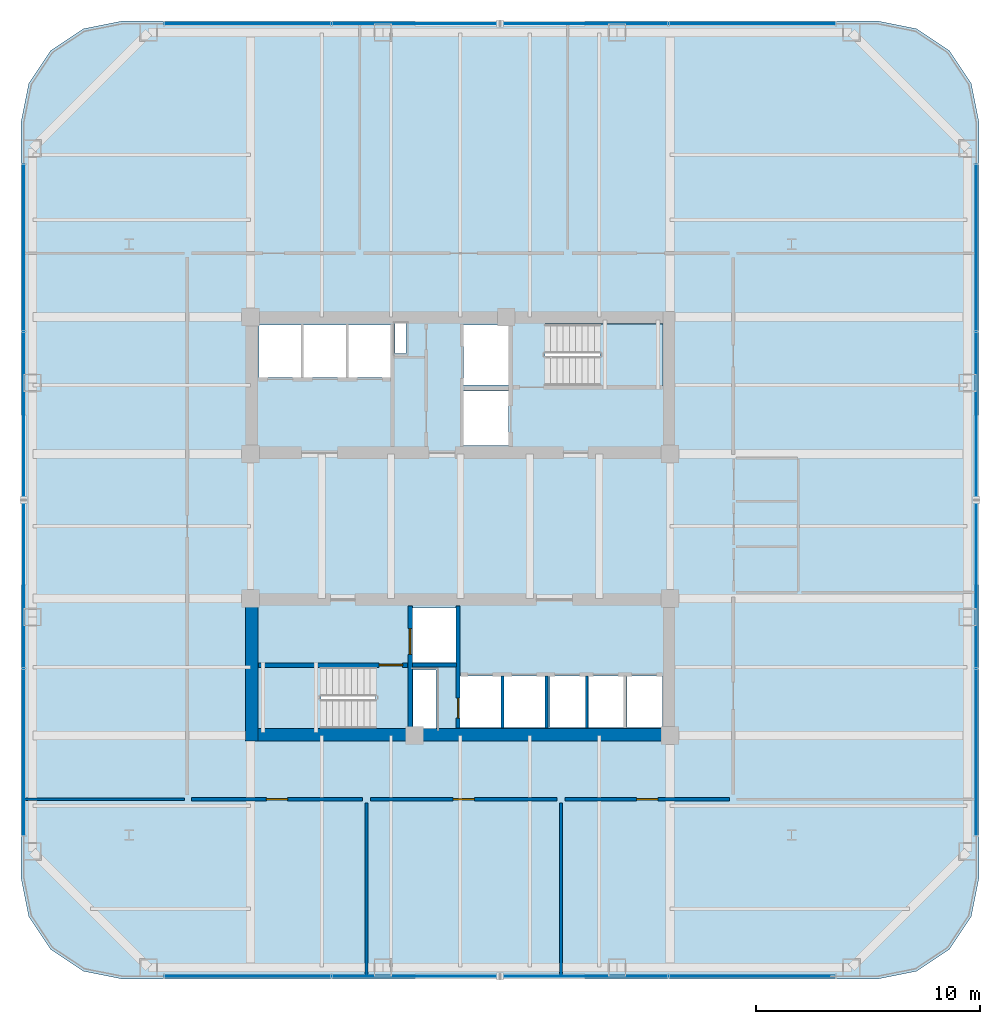
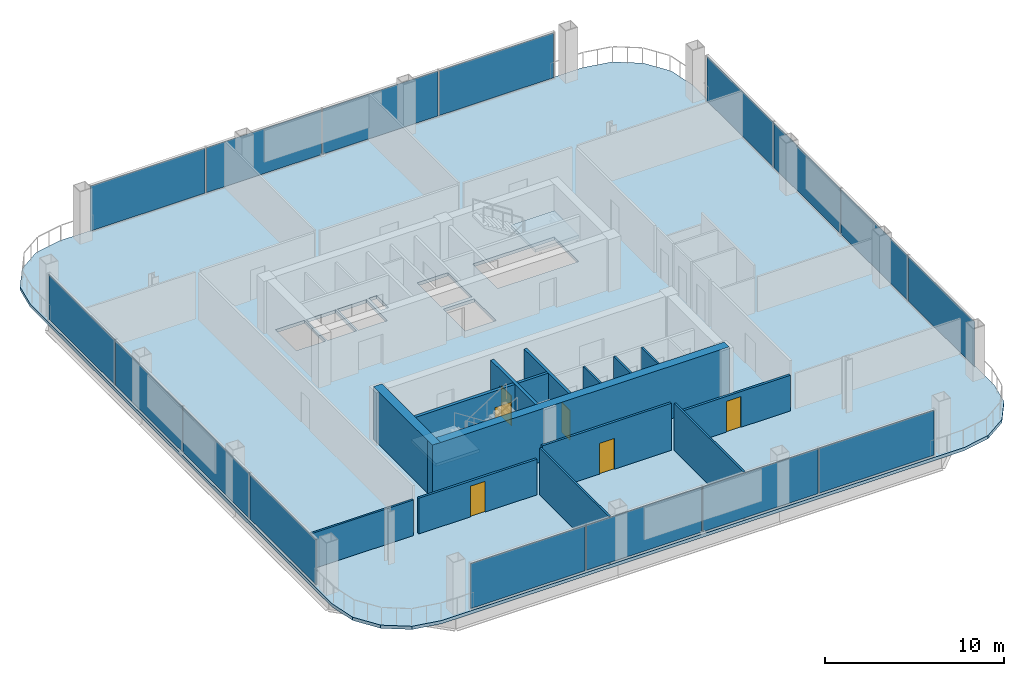
# One storey, part 19 of 24: 16 plates, 15 walls, 6 doors, 3 slabs, 6 openings, 6 elements without a shape of their own.
"""IFC4 building model written with IfcOpenShell, lengths in metres."""

import ifcopenshell
import ifcopenshell.guid

model = None  # the IFC model being written
_history = None  # IfcOwnerHistory: only IFC2X3 demands one
_inside = {}  # id of a spatial element -> (the spatial element, [elements in it])
_under = {}  # id of a project, library or spatial element -> (it, [spatial elements below it])
_declared = {}  # id of a project -> (the project, [libraries it declares])
_typed = {}  # id of a type object -> (the type object, [elements of that type])
_made_of = {}  # id of a material, layer set ... -> (it, [elements and type objects made of it])


def new_model(schema):
    """Start an empty IFC model of exactly this schema.

    Asked for "IFC4X3", IfcOpenShell would pick the latest addendum, in which some entities
    have other attributes; the version numbers below select the first issue.
    IFC2X3 requires an IfcOwnerHistory on every rooted entity: one is made here for all.
    """
    global model, _history
    if schema == "IFC4X3":
        model = ifcopenshell.file(schema_version=(4, 3, 0, 0))
    else:
        model = ifcopenshell.file(schema=schema)
    _inside.clear()
    _under.clear()
    _declared.clear()
    _typed.clear()
    _made_of.clear()
    _history = None
    if model.schema == "IFC2X3":
        org = make("IfcOrganization", Name="unknown")
        user = make(
            "IfcPersonAndOrganization",
            ThePerson=make("IfcPerson", FamilyName="unknown"),
            TheOrganization=org,
        )
        app = make(
            "IfcApplication",
            ApplicationDeveloper=org,
            Version="unknown",
            ApplicationFullName="unknown",
            ApplicationIdentifier="unknown",
        )
        _history = make(
            "IfcOwnerHistory",
            OwningUser=user,
            OwningApplication=app,
            ChangeAction="ADDED",
            CreationDate=0,
        )
    return model


def make(cls, **values):
    """One entity of the class cls with the attributes given. An attribute that is None is left unset."""
    return model.create_entity(
        cls, **{name: value for name, value in values.items() if value is not None}
    )


def rooted(cls, **values):
    """An entity with a GlobalId (a new one), such as an element, a storey or a relation."""
    return make(cls, GlobalId=ifcopenshell.guid.new(), OwnerHistory=_history, **values)


def si_unit(unit_type, name, prefix=None):
    """IfcSIUnit, for example si_unit("LENGTHUNIT", "METRE", prefix="MILLI")."""
    return make("IfcSIUnit", UnitType=unit_type, Prefix=prefix, Name=name)


def assignment(units):
    """IfcUnitAssignment: the units of a project."""
    return None if units is None else make("IfcUnitAssignment", Units=units)


def point(xyz):
    """IfcCartesianPoint."""
    return None if xyz is None else make("IfcCartesianPoint", Coordinates=xyz)


def direction(xyz):
    """IfcDirection."""
    return None if xyz is None else make("IfcDirection", DirectionRatios=xyz)


def frame(location, z_axis=None, x_axis=None):
    """IfcAxis2Placement3D, a coordinate frame: its origin and axes. An axis left out is left unset."""
    return make(
        "IfcAxis2Placement3D",
        Location=point(location),
        Axis=direction(z_axis),
        RefDirection=direction(x_axis),
    )


def frame_2d(location, x_axis=None):
    """IfcAxis2Placement2D, a coordinate frame in the plane: its origin and x axis."""
    return make(
        "IfcAxis2Placement2D", Location=point(location), RefDirection=direction(x_axis)
    )


def origin():
    """The frame at (0, 0, 0) with its axes left unset."""
    return frame((0.0, 0.0, 0.0))


def origin_2d():
    """The frame at (0, 0) in the plane with its x axis left unset."""
    return frame_2d((0.0, 0.0))


def place(relative_to, where):
    """IfcLocalPlacement: puts the frame where relative to a parent placement (None: the world)."""
    return make(
        "IfcLocalPlacement", PlacementRelTo=relative_to, RelativePlacement=where
    )


def context(
    kind, dimensions, precision=None, world=None, true_north=None, identifier=None
):
    """IfcGeometricRepresentationContext, for example the 3D "Model" context."""
    return make(
        "IfcGeometricRepresentationContext",
        ContextIdentifier=identifier,
        ContextType=kind,
        CoordinateSpaceDimension=dimensions,
        Precision=precision,
        WorldCoordinateSystem=world,
        TrueNorth=true_north,
    )


def subcontext(parent, identifier, kind, view, scale=None):
    """IfcGeometricRepresentationSubContext, for example "Body" below "Model"."""
    return make(
        "IfcGeometricRepresentationSubContext",
        ContextIdentifier=identifier,
        ContextType=kind,
        ParentContext=parent,
        TargetScale=scale,
        TargetView=view,
    )


def project(units=None, contexts=None):
    """IfcProject with its units and contexts."""
    return rooted(
        "IfcProject",
        Name="project",
        RepresentationContexts=contexts,
        UnitsInContext=assignment(units),
    )


def spatial(cls, under=None, at=None, **own):
    """A site, building, storey or space (cls), placed at a placement, below another one or the project."""
    s = rooted(cls, ObjectPlacement=at, **own)
    if under is not None:
        _under.setdefault(under.id(), (under, []))[1].append(s)
    return s


def polyline(points):
    """IfcPolyline through the points."""
    return make("IfcPolyline", Points=[point(p) for p in points])


def profile(cls, at=None, kind="AREA", **sizes):
    """A parametric profile (cls). Its sizes go by their IFC names, for example OverallWidth=200.0."""
    return make(cls, ProfileType=kind, Position=at, **sizes)


def rectangle(**sizes):
    """IfcRectangleProfileDef."""
    return profile("IfcRectangleProfileDef", **sizes)


def outline(outer, holes=None, kind="AREA"):
    """IfcArbitraryClosedProfileDef: a profile drawn as a closed curve; with holes, ...WithVoids."""
    if holes is None:
        return make("IfcArbitraryClosedProfileDef", ProfileType=kind, OuterCurve=outer)
    return make(
        "IfcArbitraryProfileDefWithVoids",
        ProfileType=kind,
        OuterCurve=outer,
        InnerCurves=holes,
    )


def extrude(swept, where, along, depth):
    """IfcExtrudedAreaSolid: the profile swept, set in the frame where, extruded along a direction by depth."""
    return make(
        "IfcExtrudedAreaSolid",
        SweptArea=swept,
        Position=where,
        ExtrudedDirection=direction(along),
        Depth=depth,
    )


def shape(context_of_items, identifier, shape_type, items):
    """IfcShapeRepresentation: the items that make up one representation, for example the "Body"."""
    return make(
        "IfcShapeRepresentation",
        ContextOfItems=context_of_items,
        RepresentationIdentifier=identifier,
        RepresentationType=shape_type,
        Items=items,
    )


def material(Name=None, Category=None):
    """IfcMaterial."""
    return make("IfcMaterial", Name=Name, Category=Category)


def layer(
    of_material, thickness, ventilated=None, Name=None, Category=None, Priority=None
):
    """IfcMaterialLayer: one layer of a wall or slab, of a material (None: an air gap)."""
    return make(
        "IfcMaterialLayer",
        Material=of_material,
        LayerThickness=thickness,
        IsVentilated=ventilated,
        Name=Name,
        Category=Category,
        Priority=Priority,
    )


def layer_set(layers, Name=None):
    """IfcMaterialLayerSet."""
    return make("IfcMaterialLayerSet", MaterialLayers=layers, LayerSetName=Name)


def made_of(thing, what):
    """Note that an element or type object is made of a material, layer set ...; save() writes the relation."""
    if what is not None:
        _made_of.setdefault(what.id(), (what, []))[1].append(thing)
    return thing


def type_object(cls, material=None, **own):
    """A type object (cls), such as IfcWallType, which elements share."""
    return made_of(rooted(cls, **own), material)


def element(
    cls,
    number,
    at=None,
    inside=None,
    cuts=None,
    type_object=None,
    material=None,
    context=None,
    identifier="Body",
    shape_type=None,
    held_by="IfcProductDefinitionShape",
    body=None,
    shapes=None,
    **own,
):
    """One element of the class cls, such as IfcWall. Its Tag is "e" and its number.

    at: its placement. inside: the storey or other place that contains it. cuts: it is an
    opening in that element (IfcRelVoidsElement). A single representation is given by context,
    identifier, shape_type and body (its items); several are given by shapes. held_by: the class
    of the entity that holds the representations. save() writes the other relations.
    """
    e = rooted(cls, Tag="e%d" % number, ObjectPlacement=at, **own)
    if body is not None:
        shapes = [shape(context, identifier, shape_type, body)]
    if shapes is not None:
        e.Representation = make(held_by, Representations=shapes)
    if inside is not None:
        _inside.setdefault(inside.id(), (inside, []))[1].append(e)
    if cuts is not None:
        rooted(
            "IfcRelVoidsElement", RelatingBuildingElement=cuts, RelatedOpeningElement=e
        )
    if type_object is not None:
        _typed.setdefault(type_object.id(), (type_object, []))[1].append(e)
    return made_of(e, material)


def fill(opening, filler):
    """IfcRelFillsElement: the door or window that sits in an opening."""
    return rooted(
        "IfcRelFillsElement",
        RelatingOpeningElement=opening,
        RelatedBuildingElement=filler,
    )


def aggregate(whole, parts):
    """IfcRelAggregates: a whole, such as a stair, and the parts it consists of."""
    return rooted("IfcRelAggregates", RelatingObject=whole, RelatedObjects=parts)


def save(model, path):
    """Write the relations noted so far, then the file.

    IfcRelAggregates (storeys below a building ...), IfcRelContainedInSpatialStructure (elements
    in a storey), IfcRelDefinesByType, IfcRelAssociatesMaterial and IfcRelDeclares: one each for
    every whole, place, type object, material and project.
    """
    for whole, parts in _under.values():
        aggregate(whole, parts)
    for where, things in _inside.values():
        rooted(
            "IfcRelContainedInSpatialStructure",
            RelatedElements=things,
            RelatingStructure=where,
        )
    for kind, things in _typed.values():
        rooted("IfcRelDefinesByType", RelatedObjects=things, RelatingType=kind)
    for what, things in _made_of.values():
        rooted("IfcRelAssociatesMaterial", RelatedObjects=things, RelatingMaterial=what)
    for by, libraries in _declared.values():
        rooted("IfcRelDeclares", RelatingContext=by, RelatedDefinitions=libraries)
    model.write(path)


model = new_model("IFC4")

# Units and contexts
model_context = context("Model", 3, precision=1e-05, world=origin(), true_north=direction((0.0, 1.0)))
body_context = subcontext(model_context, "Body", "Model", "MODEL_VIEW")
ifc_project = project(units=[si_unit("LENGTHUNIT", "METRE"), si_unit("AREAUNIT", "SQUARE_METRE"), si_unit("VOLUMEUNIT", "CUBIC_METRE"), si_unit("PLANEANGLEUNIT", "RADIAN"), si_unit("MASSUNIT", "GRAM", prefix="KILO")], contexts=[model_context])

# Site, building, storey
site_placement = place(None, origin())
site = spatial("IfcSite", under=ifc_project, at=site_placement, CompositionType="ELEMENT")
building_placement = place(site_placement, origin())
building = spatial("IfcBuilding", under=site, at=building_placement, Name="Qhalaya Broadcast Tower", CompositionType="ELEMENT")
storey_placement = place(building_placement, frame((0.0, 0.0, 61.5)))
storey = spatial("IfcBuildingStorey", under=building, at=storey_placement, Name="L17", CompositionType="ELEMENT", Elevation=61.5)

# Curtain wall, plates
ifc_material_1 = material(Name="Solar-Control Low-E Triple Glazing", Category="glass")
ifc_layer_1 = layer(ifc_material_1, 0.219970703125, Name="Solar-Control Low-E Triple Glazing")
ifc_layer_set_1 = layer_set([ifc_layer_1], Name="Solar-Control Low-E Triple Glazing")
curtain_wall_type = type_object("IfcCurtainWallType", Name="Recessed Sky-Garden Neck Ribbon Curtain Wall CW-05", PredefinedType="NOTDEFINED", material=ifc_layer_set_1)
curtain_wall_1_placement = place(storey_placement, origin())
curtain_wall_1 = element("IfcCurtainWall", 1, at=curtain_wall_1_placement, inside=storey, type_object=curtain_wall_type, Name="L17 Unitised Curtain Wall L17-CW-S", PredefinedType="NOTDEFINED")
ifc_layer_2 = layer(ifc_material_1, 0.031982421875, Name="Solar-Control Low-E Triple Glazing")
ifc_layer_set_2 = layer_set([ifc_layer_2], Name="Solar-Control Low-E Triple Glazing")
plate_type = type_object("IfcPlateType", Name="Solar-Control Curtain Glazing Panel GLP-05", PredefinedType="CURTAIN_PANEL", material=ifc_layer_set_2)
plate_1_placement = place(storey_placement, frame((-9.498779296875, -19.510009765625, 0.0751953125), z_axis=(0.0, 0.0, 1.0), x_axis=(1.0, 0.0, 0.0)))
plate_1 = element("IfcPlate", 2, at=plate_1_placement, type_object=plate_type, Name="CW-05 panel 1.1", PredefinedType="CURTAIN_PANEL", context=body_context, shape_type="SweptSolid", body=[
    extrude(rectangle(XDim=7.41259765625, YDim=0.031982421875, at=origin_2d()), origin(), (0.0, 0.0, 1.0), 3.070068359375),
])
plate_2_placement = place(storey_placement, frame((-1.992431640625, -19.510009765625, 0.0751953125), z_axis=(0.0, 0.0, 1.0), x_axis=(1.0, 0.0, 0.0)))
plate_2 = element("IfcPlate", 3, at=plate_2_placement, type_object=plate_type, Name="CW-05 panel 2.1", PredefinedType="CURTAIN_PANEL", context=body_context, shape_type="SweptSolid", body=[
    extrude(rectangle(XDim=7.449951171875, YDim=0.031982421875, at=origin_2d()), origin(), (0.0, 0.0, 1.0), 3.070068359375),
])
plate_3_placement = place(storey_placement, frame((5.532470703125, -19.510009765625, 0.0751953125), z_axis=(0.0, 0.0, 1.0), x_axis=(1.0, 0.0, 0.0)))
plate_3 = element("IfcPlate", 4, at=plate_3_placement, type_object=plate_type, Name="CW-05 panel 3.1", PredefinedType="CURTAIN_PANEL", context=body_context, shape_type="SweptSolid", body=[
    extrude(rectangle(XDim=7.449951171875, YDim=0.031982421875, at=origin_2d()), origin(), (0.0, 0.0, 1.0), 3.070068359375),
])
plate_4_placement = place(storey_placement, frame((13.038818359375, -19.510009765625, 0.0751953125), z_axis=(0.0, 0.0, 1.0), x_axis=(1.0, 0.0, 0.0)))
plate_4 = element("IfcPlate", 5, at=plate_4_placement, type_object=plate_type, Name="CW-05 panel 4.1", PredefinedType="CURTAIN_PANEL", context=body_context, shape_type="SweptSolid", body=[
    extrude(rectangle(XDim=7.41259765625, YDim=0.031982421875, at=origin_2d()), origin(), (0.0, 0.0, 1.0), 3.070068359375),
])
aggregate(curtain_wall_1, [plate_1, plate_2, plate_3, plate_4])

curtain_wall_2_placement = place(storey_placement, origin())
curtain_wall_2 = element("IfcCurtainWall", 6, at=curtain_wall_2_placement, inside=storey, type_object=curtain_wall_type, Name="L17 Unitised Curtain Wall L17-CW-E", PredefinedType="NOTDEFINED")
plate_5_placement = place(storey_placement, frame((23.050048828125, -9.498779296875, 0.0751953125), z_axis=(0.0, 0.0, 1.0), x_axis=(0.0, 1.0, 0.0)))
plate_5 = element("IfcPlate", 7, at=plate_5_placement, type_object=plate_type, Name="CW-05 panel 1.1", PredefinedType="CURTAIN_PANEL", context=body_context, shape_type="SweptSolid", body=[
    extrude(rectangle(XDim=7.41259765625, YDim=0.031982421875, at=origin_2d()), origin(), (0.0, 0.0, 1.0), 3.070068359375),
])
plate_6_placement = place(storey_placement, frame((23.050048828125, -1.992431640625, 0.0751953125), z_axis=(0.0, 0.0, 1.0), x_axis=(0.0, 1.0, 0.0)))
plate_6 = element("IfcPlate", 8, at=plate_6_placement, type_object=plate_type, Name="CW-05 panel 2.1", PredefinedType="CURTAIN_PANEL", context=body_context, shape_type="SweptSolid", body=[
    extrude(rectangle(XDim=7.449951171875, YDim=0.031982421875, at=origin_2d()), origin(), (0.0, 0.0, 1.0), 3.070068359375),
])
plate_7_placement = place(storey_placement, frame((23.050048828125, 5.532470703125, 0.0751953125), z_axis=(0.0, 0.0, 1.0), x_axis=(0.0, 1.0, 0.0)))
plate_7 = element("IfcPlate", 9, at=plate_7_placement, type_object=plate_type, Name="CW-05 panel 3.1", PredefinedType="CURTAIN_PANEL", context=body_context, shape_type="SweptSolid", body=[
    extrude(rectangle(XDim=7.449951171875, YDim=0.031982421875, at=origin_2d()), origin(), (0.0, 0.0, 1.0), 3.070068359375),
])
plate_8_placement = place(storey_placement, frame((23.050048828125, 13.038818359375, 0.0751953125), z_axis=(0.0, 0.0, 1.0), x_axis=(0.0, 1.0, 0.0)))
plate_8 = element("IfcPlate", 10, at=plate_8_placement, type_object=plate_type, Name="CW-05 panel 4.1", PredefinedType="CURTAIN_PANEL", context=body_context, shape_type="SweptSolid", body=[
    extrude(rectangle(XDim=7.41259765625, YDim=0.031982421875, at=origin_2d()), origin(), (0.0, 0.0, 1.0), 3.070068359375),
])
aggregate(curtain_wall_2, [plate_5, plate_6, plate_7, plate_8])

curtain_wall_3_placement = place(storey_placement, origin())
curtain_wall_3 = element("IfcCurtainWall", 11, at=curtain_wall_3_placement, inside=storey, type_object=curtain_wall_type, Name="L17 Unitised Curtain Wall L17-CW-N", PredefinedType="NOTDEFINED")
plate_9_placement = place(storey_placement, frame((13.038818359375, 23.050048828125, 0.0751953125), z_axis=(0.0, 0.0, 1.0), x_axis=(-1.0, 0.0, 0.0)))
plate_9 = element("IfcPlate", 12, at=plate_9_placement, type_object=plate_type, Name="CW-05 panel 1.1", PredefinedType="CURTAIN_PANEL", context=body_context, shape_type="SweptSolid", body=[
    extrude(rectangle(XDim=7.41259765625, YDim=0.031982421875, at=origin_2d()), origin(), (0.0, 0.0, 1.0), 3.070068359375),
])
plate_10_placement = place(storey_placement, frame((5.532470703125, 23.050048828125, 0.0751953125), z_axis=(0.0, 0.0, 1.0), x_axis=(-1.0, 0.0, 0.0)))
plate_10 = element("IfcPlate", 13, at=plate_10_placement, type_object=plate_type, Name="CW-05 panel 2.1", PredefinedType="CURTAIN_PANEL", context=body_context, shape_type="SweptSolid", body=[
    extrude(rectangle(XDim=7.449951171875, YDim=0.031982421875, at=origin_2d()), origin(), (0.0, 0.0, 1.0), 3.070068359375),
])
plate_11_placement = place(storey_placement, frame((-1.992431640625, 23.050048828125, 0.0751953125), z_axis=(0.0, 0.0, 1.0), x_axis=(-1.0, 0.0, 0.0)))
plate_11 = element("IfcPlate", 14, at=plate_11_placement, type_object=plate_type, Name="CW-05 panel 3.1", PredefinedType="CURTAIN_PANEL", context=body_context, shape_type="SweptSolid", body=[
    extrude(rectangle(XDim=7.449951171875, YDim=0.031982421875, at=origin_2d()), origin(), (0.0, 0.0, 1.0), 3.070068359375),
])
plate_12_placement = place(storey_placement, frame((-9.498779296875, 23.050048828125, 0.0751953125), z_axis=(0.0, 0.0, 1.0), x_axis=(-1.0, 0.0, 0.0)))
plate_12 = element("IfcPlate", 15, at=plate_12_placement, type_object=plate_type, Name="CW-05 panel 4.1", PredefinedType="CURTAIN_PANEL", context=body_context, shape_type="SweptSolid", body=[
    extrude(rectangle(XDim=7.41259765625, YDim=0.031982421875, at=origin_2d()), origin(), (0.0, 0.0, 1.0), 3.070068359375),
])
aggregate(curtain_wall_3, [plate_9, plate_10, plate_11, plate_12])

curtain_wall_4_placement = place(storey_placement, origin())
curtain_wall_4 = element("IfcCurtainWall", 16, at=curtain_wall_4_placement, inside=storey, type_object=curtain_wall_type, Name="L17 Unitised Curtain Wall L17-CW-W", PredefinedType="NOTDEFINED")
plate_13_placement = place(storey_placement, frame((-19.510009765625, 13.038818359375, 0.0751953125), z_axis=(0.0, 0.0, 1.0), x_axis=(0.0, -1.0, 0.0)))
plate_13 = element("IfcPlate", 17, at=plate_13_placement, type_object=plate_type, Name="CW-05 panel 1.1", PredefinedType="CURTAIN_PANEL", context=body_context, shape_type="SweptSolid", body=[
    extrude(rectangle(XDim=7.41259765625, YDim=0.031982421875, at=origin_2d()), origin(), (0.0, 0.0, 1.0), 3.070068359375),
])
plate_14_placement = place(storey_placement, frame((-19.510009765625, 5.532470703125, 0.0751953125), z_axis=(0.0, 0.0, 1.0), x_axis=(0.0, -1.0, 0.0)))
plate_14 = element("IfcPlate", 18, at=plate_14_placement, type_object=plate_type, Name="CW-05 panel 2.1", PredefinedType="CURTAIN_PANEL", context=body_context, shape_type="SweptSolid", body=[
    extrude(rectangle(XDim=7.449951171875, YDim=0.031982421875, at=origin_2d()), origin(), (0.0, 0.0, 1.0), 3.070068359375),
])
plate_15_placement = place(storey_placement, frame((-19.510009765625, -1.992431640625, 0.0751953125), z_axis=(0.0, 0.0, 1.0), x_axis=(0.0, -1.0, 0.0)))
plate_15 = element("IfcPlate", 19, at=plate_15_placement, type_object=plate_type, Name="CW-05 panel 3.1", PredefinedType="CURTAIN_PANEL", context=body_context, shape_type="SweptSolid", body=[
    extrude(rectangle(XDim=7.449951171875, YDim=0.031982421875, at=origin_2d()), origin(), (0.0, 0.0, 1.0), 3.070068359375),
])
plate_16_placement = place(storey_placement, frame((-19.510009765625, -9.498779296875, 0.0751953125), z_axis=(0.0, 0.0, 1.0), x_axis=(0.0, -1.0, 0.0)))
plate_16 = element("IfcPlate", 20, at=plate_16_placement, type_object=plate_type, Name="CW-05 panel 4.1", PredefinedType="CURTAIN_PANEL", context=body_context, shape_type="SweptSolid", body=[
    extrude(rectangle(XDim=7.41259765625, YDim=0.031982421875, at=origin_2d()), origin(), (0.0, 0.0, 1.0), 3.070068359375),
])
aggregate(curtain_wall_4, [plate_13, plate_14, plate_15, plate_16])

# Stair, slab
ifc_material_2 = material(Name="Concrete C40/50", Category="concrete")
stair_type = type_object("IfcStairType", Name="Protected Dogleg Core Stair 3600", PredefinedType="TWO_STRAIGHT_RUN_STAIR", material=ifc_material_2)
stair_1_placement = place(storey_placement, origin())
stair_1 = element("IfcStair", 21, at=stair_1_placement, inside=storey, type_object=stair_type, Name="L17 North Core Exit Stair ST-1", PredefinedType="TWO_STRAIGHT_RUN_STAIR")
ifc_layer_3 = layer(ifc_material_2, 0.199951171875, Name="Concrete C40/50")
ifc_layer_set_3 = layer_set([ifc_layer_3], Name="Concrete C40/50")
slab_type_1 = type_object("IfcSlabType", Name="Stair & Ramp Half-Landing Slab 200", PredefinedType="LANDING", material=ifc_layer_set_3)
slab_1_placement = place(storey_placement, frame((0.0, 0.0, 1.60009765625)))
slab_1 = element("IfcSlab", 22, at=slab_1_placement, type_object=slab_type_1, Name="ST-1 landing 1", PredefinedType="LANDING", context=body_context, shape_type="SweptSolid", body=[
    extrude(outline(polyline([(6.235107421875, 6.8798828125), (9.050048828125, 6.8798828125), (9.050048828125, 9.639892578125), (6.235107421875, 9.639892578125), (6.235107421875, 6.8798828125)])), origin(), (0.0, 0.0, 1.0), 0.199951171875),
])
aggregate(stair_1, [slab_1])

stair_2_placement = place(storey_placement, origin())
stair_2 = element("IfcStair", 23, at=stair_2_placement, inside=storey, type_object=stair_type, Name="L17 South Core Exit Stair ST-2", PredefinedType="TWO_STRAIGHT_RUN_STAIR")
slab_2_placement = place(storey_placement, frame((0.0, 0.0, 1.60009765625)))
slab_2 = element("IfcSlab", 24, at=slab_2_placement, type_object=slab_type_1, Name="ST-2 landing 1", PredefinedType="LANDING", context=body_context, shape_type="SweptSolid", body=[
    extrude(outline(polyline([(-6.235107421875, -5.679931640625), (-9.050048828125, -5.679931640625), (-9.050048828125, -8.43994140625), (-6.235107421875, -8.43994140625), (-6.235107421875, -5.679931640625)])), origin(), (0.0, 0.0, 1.0), 0.199951171875),
])
aggregate(stair_2, [slab_2])

# Slab
ifc_layer_4 = layer(ifc_material_2, 0.219970703125, Name="Concrete C40/50")
ifc_layer_set_4 = layer_set([ifc_layer_4], Name="Concrete C40/50")
slab_type_2 = type_object("IfcSlabType", Name="Tower Composite Floor Slab 220", PredefinedType="FLOOR", material=ifc_layer_set_4)
slab_3_placement = place(storey_placement, frame((0.0, 0.0, -0.219970703125)))
element("IfcSlab", 25, at=slab_3_placement, inside=storey, type_object=slab_type_2, Name="L17 Main Structural Floor Slab", PredefinedType="FLOOR", context=body_context, shape_type="SweptSolid", body=[
    extrude(outline(polyline([(18.669921875, -19.6298828125), (20.39208984375, -19.28759765625), (21.85205078125, -18.31201171875), (22.827392578125, -16.85205078125), (23.169921875, -15.1298828125), (23.169921875, 18.669921875), (22.827392578125, 20.39208984375), (21.85205078125, 21.85205078125), (20.39208984375, 22.827392578125), (18.669921875, 23.169921875), (-15.1298828125, 23.169921875), (-16.85205078125, 22.827392578125), (-18.31201171875, 21.85205078125), (-19.28759765625, 20.39208984375), (-19.6298828125, 18.669921875), (-19.6298828125, -15.1298828125), (-19.28759765625, -16.85205078125), (-18.31201171875, -18.31201171875), (-16.85205078125, -19.28759765625), (-15.1298828125, -19.6298828125), (18.669921875, -19.6298828125)]), holes=[polyline([(3.784912109375, 9.639892578125), (9.050048828125, 9.639892578125), (9.050048828125, 6.8798828125), (3.784912109375, 6.8798828125), (3.784912109375, 9.639892578125)]), polyline([(-3.784912109375, -8.43994140625), (-9.050048828125, -8.43994140625), (-9.050048828125, -5.679931640625), (-3.784912109375, -5.679931640625), (-3.784912109375, -8.43994140625)]), polyline([(0.14990234375, 6.64990234375), (2.14990234375, 6.64990234375), (2.14990234375, 4.199951171875), (0.14990234375, 4.199951171875), (0.14990234375, 6.64990234375)]), polyline([(0.14990234375, 9.60009765625), (2.14990234375, 9.60009765625), (2.14990234375, 6.89990234375), (0.14990234375, 6.89990234375), (0.14990234375, 9.60009765625)]), polyline([(-2.14990234375, -3.050048828125), (-0.14990234375, -3.050048828125), (-0.14990234375, -5.5), (-2.14990234375, -5.5), (-2.14990234375, -3.050048828125)]), polyline([(-9.0, 9.60009765625), (-7.1201171875, 9.60009765625), (-7.1201171875, 7.25), (-9.0, 7.25), (-9.0, 9.60009765625)]), polyline([(-7.0, 9.60009765625), (-5.1201171875, 9.60009765625), (-5.1201171875, 7.25), (-7.0, 7.25), (-7.0, 9.60009765625)]), polyline([(-5.0, 9.60009765625), (-3.1201171875, 9.60009765625), (-3.1201171875, 7.25), (-5.0, 7.25), (-5.0, 9.60009765625)]), polyline([(-0.050048828125, -6.10009765625), (1.830078125, -6.10009765625), (1.830078125, -8.39990234375), (-0.050048828125, -8.39990234375), (-0.050048828125, -6.10009765625)]), polyline([(1.949951171875, -6.10009765625), (3.830078125, -6.10009765625), (3.830078125, -8.39990234375), (1.949951171875, -8.39990234375), (1.949951171875, -6.10009765625)]), polyline([(4.0, -6.10009765625), (5.60009765625, -6.10009765625), (5.60009765625, -8.39990234375), (4.0, -8.39990234375), (4.0, -6.10009765625)]), polyline([(5.719970703125, -6.10009765625), (7.320068359375, -6.10009765625), (7.320068359375, -8.39990234375), (5.719970703125, -8.39990234375), (5.719970703125, -6.10009765625)]), polyline([(7.43994140625, -6.10009765625), (9.0400390625, -6.10009765625), (9.0400390625, -8.39990234375), (7.43994140625, -8.39990234375), (7.43994140625, -6.10009765625)]), polyline([(-2.919921875, 9.659912109375), (-2.419921875, 9.659912109375), (-2.419921875, 8.320068359375), (-2.919921875, 8.320068359375), (-2.919921875, 9.659912109375)]), polyline([(-2.1201171875, -5.820068359375), (-1.080078125, -5.820068359375), (-1.080078125, -8.4599609375), (-2.1201171875, -8.4599609375), (-2.1201171875, -5.820068359375)])]), origin(), (0.0, 0.0, 1.0), 0.219970703125),
])

# Wall, opening, door
ifc_material_3 = material(Name="Gypsum Acoustic Partition")
ifc_layer_5 = layer(ifc_material_3, 0.14990234375, Name="Gypsum Acoustic Partition")
ifc_layer_set_5 = layer_set([ifc_layer_5], Name="Gypsum Acoustic Partition")
wall_type_1 = type_object("IfcWallType", Name="Corridor & Tenancy Acoustic Partition 150", PredefinedType="PARTITIONING", material=ifc_layer_set_5)
wall_1_placement = place(storey_placement, frame((-12.02001953125, -11.60009765625, 0.0), z_axis=(0.0, 0.0, 1.0), x_axis=(1.0, 0.0, 0.0)))
wall_1 = element("IfcWall", 26, at=wall_1_placement, inside=storey, type_object=wall_type_1, Name="L17 Partition Wall W-COR-04", PredefinedType="PARTITIONING", context=body_context, shape_type="SweptSolid", body=[
    extrude(rectangle(XDim=7.64013671875, YDim=0.14990234375, at=frame_2d((3.820068359375, 0.0))), origin(), (0.0, 0.0, 1.0), 2.43798828125),
])
opening_1_placement = place(wall_1_placement, frame((3.344970703125, 0.0, 0.0)))
opening_1 = element("IfcOpeningElement", 27, at=opening_1_placement, cuts=wall_1, Name="Opening D10", PredefinedType="OPENING", context=body_context, shape_type="SweptSolid", body=[
    extrude(rectangle(XDim=0.949951171875, YDim=2.10009765625, at=frame_2d((0.47509765625, 1.050048828125))), frame((0.0, 0.0869140625, 0.0), z_axis=(0.0, -1.0, 0.0), x_axis=(1.0, 0.0, 0.0)), (0.0, 0.0, 1.0), 0.173828125),
])
ifc_material_4 = material(Name="Timber Veneer Acoustic Door", Category="wood")
door_type_1 = type_object("IfcDoorType", Name="Cellular Office & Edit Booth Door D10", OperationType="NOTDEFINED", PredefinedType="DOOR", material=ifc_material_4)
door_1_placement = place(opening_1_placement, origin())
door_1 = element("IfcDoor", 28, at=door_1_placement, inside=storey, type_object=door_type_1, Name="L17 Door D-RM04", OperationType="SINGLE_SWING_RIGHT", OverallHeight=2.10009765625, OverallWidth=0.949951171875, PredefinedType="DOOR", context=body_context, shape_type="SweptSolid", body=[
    extrude(rectangle(XDim=0.949951171875, YDim=2.10009765625, at=frame_2d((0.47509765625, 1.050048828125))), frame((0.0, 0.02490234375, 0.0), z_axis=(0.0, -1.0, 0.0), x_axis=(1.0, 0.0, 0.0)), (0.0, 0.0, 1.0), 0.050048828125),
])
fill(opening_1, door_1)

wall_2_placement = place(storey_placement, frame((-4.02001953125, -11.60009765625, 0.0), z_axis=(0.0, 0.0, 1.0), x_axis=(1.0, 0.0, 0.0)))
wall_2 = element("IfcWall", 29, at=wall_2_placement, inside=storey, type_object=wall_type_1, Name="L17 Partition Wall W-COR-05", PredefinedType="PARTITIONING", context=body_context, shape_type="SweptSolid", body=[
    extrude(rectangle(XDim=8.340087890625, YDim=0.14990234375, at=frame_2d((4.169921875, 0.0))), origin(), (0.0, 0.0, 1.0), 3.219970703125),
])
opening_2_placement = place(wall_2_placement, frame((3.695068359375, 0.0, 0.0)))
opening_2 = element("IfcOpeningElement", 30, at=opening_2_placement, cuts=wall_2, Name="Opening D10", PredefinedType="OPENING", context=body_context, shape_type="SweptSolid", body=[
    extrude(rectangle(XDim=0.949951171875, YDim=2.10009765625, at=frame_2d((0.47509765625, 1.050048828125))), frame((0.0, 0.0869140625, 0.0), z_axis=(0.0, -1.0, 0.0), x_axis=(1.0, 0.0, 0.0)), (0.0, 0.0, 1.0), 0.173828125),
])
door_2_placement = place(opening_2_placement, origin())
door_2 = element("IfcDoor", 31, at=door_2_placement, inside=storey, type_object=door_type_1, Name="L17 Door D-RM05", OperationType="SINGLE_SWING_LEFT", OverallHeight=2.10009765625, OverallWidth=0.949951171875, PredefinedType="DOOR", context=body_context, shape_type="SweptSolid", body=[
    extrude(rectangle(XDim=0.949951171875, YDim=2.10009765625, at=frame_2d((0.47509765625, 1.050048828125))), frame((0.0, 0.02490234375, 0.0), z_axis=(0.0, -1.0, 0.0), x_axis=(1.0, 0.0, 0.0)), (0.0, 0.0, 1.0), 0.050048828125),
])
fill(opening_2, door_2)

wall_3_placement = place(storey_placement, frame((4.679931640625, -11.60009765625, 0.0), z_axis=(0.0, 0.0, 1.0), x_axis=(1.0, 0.0, 0.0)))
wall_3 = element("IfcWall", 32, at=wall_3_placement, inside=storey, type_object=wall_type_1, Name="L17 Partition Wall W-COR-06", PredefinedType="PARTITIONING", context=body_context, shape_type="SweptSolid", body=[
    extrude(rectangle(XDim=7.340087890625, YDim=0.14990234375, at=frame_2d((3.669921875, 0.0))), origin(), (0.0, 0.0, 1.0), 2.43798828125),
])
opening_3_placement = place(wall_3_placement, frame((3.195068359375, 0.0, 0.0)))
opening_3 = element("IfcOpeningElement", 33, at=opening_3_placement, cuts=wall_3, Name="Opening D10", PredefinedType="OPENING", context=body_context, shape_type="SweptSolid", body=[
    extrude(rectangle(XDim=0.949951171875, YDim=2.10009765625, at=frame_2d((0.47509765625, 1.050048828125))), frame((0.0, 0.0869140625, 0.0), z_axis=(0.0, -1.0, 0.0), x_axis=(1.0, 0.0, 0.0)), (0.0, 0.0, 1.0), 0.173828125),
])
door_3_placement = place(opening_3_placement, origin())
door_3 = element("IfcDoor", 34, at=door_3_placement, inside=storey, type_object=door_type_1, Name="L17 Door D-RM06", OperationType="SINGLE_SWING_RIGHT", OverallHeight=2.10009765625, OverallWidth=0.949951171875, PredefinedType="DOOR", context=body_context, shape_type="SweptSolid", body=[
    extrude(rectangle(XDim=0.949951171875, YDim=2.10009765625, at=frame_2d((0.47509765625, 1.050048828125))), frame((0.0, 0.02490234375, 0.0), z_axis=(0.0, -1.0, 0.0), x_axis=(1.0, 0.0, 0.0)), (0.0, 0.0, 1.0), 0.050048828125),
])
fill(opening_3, door_3)

ifc_material_5 = material(Name="Concrete C50/60", Category="concrete")
ifc_layer_6 = layer(ifc_material_5, 0.199951171875, Name="Concrete C50/60")
ifc_layer_set_6 = layer_set([ifc_layer_6], Name="Concrete C50/60")
wall_type_2 = type_object("IfcWallType", Name="Load-Bearing Stair Shaft Wall 200", PredefinedType="SHEAR", material=ifc_layer_set_6)
wall_4_placement = place(storey_placement, frame((-9.030029296875, -5.60498046875, 0.0), z_axis=(0.0, 0.0, 1.0), x_axis=(1.0, 0.0, 0.0)))
wall_4 = element("IfcWall", 35, at=wall_4_placement, inside=storey, type_object=wall_type_2, Name="L17 Stair Core Shear Wall SCW-ST2", PredefinedType="SHEAR", context=body_context, shape_type="SweptSolid", body=[
    extrude(rectangle(XDim=6.669921875, YDim=0.199951171875, at=frame_2d((3.3349609375, 0.0))), origin(), (0.0, 0.0, 1.0), 3.219970703125),
])
opening_4_placement = place(wall_4_placement, frame((5.39990234375, 0.0, 0.0)))
opening_4 = element("IfcOpeningElement", 36, at=opening_4_placement, cuts=wall_4, Name="Opening D03", PredefinedType="OPENING", context=body_context, shape_type="SweptSolid", body=[
    extrude(rectangle(XDim=1.050048828125, YDim=2.080078125, at=frame_2d((0.52490234375, 1.0400390625))), frame((0.0, 0.112060546875, 0.0), z_axis=(0.0, -1.0, 0.0), x_axis=(1.0, 0.0, 0.0)), (0.0, 0.0, 1.0), 0.223876953125),
])
ifc_material_6 = material(Name="Fire-Rated Steel Door", Category="steel")
door_type_2 = type_object("IfcDoorType", Name="Core Stair Protected Fire Door D03", OperationType="NOTDEFINED", PredefinedType="DOOR", material=ifc_material_6)
door_4_placement = place(opening_4_placement, origin())
door_4 = element("IfcDoor", 37, at=door_4_placement, inside=storey, type_object=door_type_2, Name="L17 Door D-SST2", OperationType="SINGLE_SWING_RIGHT", OverallHeight=2.080078125, OverallWidth=1.050048828125, PredefinedType="DOOR", context=body_context, shape_type="SweptSolid", body=[
    extrude(rectangle(XDim=1.050048828125, YDim=2.080078125, at=frame_2d((0.52490234375, 1.0400390625))), frame((0.0, 0.02490234375, 0.0), z_axis=(0.0, -1.0, 0.0), x_axis=(1.0, 0.0, 0.0)), (0.0, 0.0, 1.0), 0.050048828125),
])
fill(opening_4, door_4)

wall_5_placement = place(storey_placement, frame((-2.25, -8.429931640625, 0.0), z_axis=(0.0, 0.0, 1.0), x_axis=(0.0, 1.0, 0.0)))
wall_5 = element("IfcWall", 38, at=wall_5_placement, inside=storey, type_object=wall_type_2, Name="L17 Stair Core Shear Wall SCW-FF", PredefinedType="SHEAR", context=body_context, shape_type="SweptSolid", body=[
    extrude(rectangle(XDim=5.4599609375, YDim=0.199951171875, at=frame_2d((2.72998046875, 0.0))), origin(), (0.0, 0.0, 1.0), 3.219970703125),
])
opening_5_placement = place(wall_5_placement, frame((3.300048828125, 0.0, 0.0)))
opening_5 = element("IfcOpeningElement", 39, at=opening_5_placement, cuts=wall_5, Name="Opening LD2", PredefinedType="OPENING", context=body_context, shape_type="SweptSolid", body=[
    extrude(rectangle(XDim=1.14990234375, YDim=2.080078125, at=frame_2d((0.574951171875, 1.0400390625))), frame((0.0, 0.112060546875, 0.0), z_axis=(0.0, -1.0, 0.0), x_axis=(1.0, 0.0, 0.0)), (0.0, 0.0, 1.0), 0.223876953125),
])
ifc_material_7 = material(Name="Brushed Stainless Steel Lift Door", Category="steel")
door_type_3 = type_object("IfcDoorType", Name="Firefighting Lift Sliding Landing Door LD2", OperationType="DOUBLE_DOOR_SLIDING", PredefinedType="DOOR", material=ifc_material_7)
door_5_placement = place(opening_5_placement, origin())
door_5 = element("IfcDoor", 40, at=door_5_placement, inside=storey, type_object=door_type_3, Name="L17 Door LD-FF2", OperationType="DOUBLE_DOOR_SLIDING", OverallHeight=2.080078125, OverallWidth=1.14990234375, PredefinedType="DOOR", context=body_context, shape_type="SweptSolid", body=[
    extrude(rectangle(XDim=1.14990234375, YDim=2.080078125, at=frame_2d((0.574951171875, 1.0400390625))), frame((0.0, 0.02490234375, 0.0), z_axis=(0.0, -1.0, 0.0), x_axis=(1.0, 0.0, 0.0)), (0.0, 0.0, 1.0), 0.050048828125),
])
fill(opening_5, door_5)

# Walls
ifc_material_8 = material(Name="Concrete C60/75", Category="concrete")
ifc_layer_7 = layer(ifc_material_8, 0.550048828125, Name="Concrete C60/75")
ifc_layer_set_7 = layer_set([ifc_layer_7], Name="Concrete C60/75")
wall_type_3 = type_object("IfcWallType", Name="Lower Split-Core Shear Wall 550", PredefinedType="SHEAR", material=ifc_layer_set_7)
wall_6_placement = place(storey_placement, frame((-9.60009765625, -8.72509765625, 0.0), z_axis=(0.0, 0.0, 1.0), x_axis=(1.0, 0.0, 0.0)))
element("IfcWall", 41, at=wall_6_placement, inside=storey, type_object=wall_type_3, Name="L17 Split-Core Shear Wall CW-SS", PredefinedType="SHEAR", context=body_context, shape_type="SweptSolid", body=[
    extrude(rectangle(XDim=19.2001953125, YDim=0.550048828125, at=frame_2d((9.60009765625, 0.0))), origin(), (0.0, 0.0, 1.0), 3.60009765625),
])
wall_7_placement = place(storey_placement, frame((-9.324951171875, -9.0, 0.0), z_axis=(0.0, 0.0, 1.0), x_axis=(0.0, 1.0, 0.0)))
element("IfcWall", 42, at=wall_7_placement, inside=storey, type_object=wall_type_3, Name="L17 Split-Core Shear Wall CW-SW", PredefinedType="SHEAR", context=body_context, shape_type="SweptSolid", body=[
    extrude(rectangle(XDim=6.60009765625, YDim=0.550048828125, at=frame_2d((3.300048828125, 0.0))), origin(), (0.0, 0.0, 1.0), 3.60009765625),
])
ifc_layer_8 = layer(ifc_material_3, 0.1201171875, Name="Gypsum Acoustic Partition")
ifc_layer_set_8 = layer_set([ifc_layer_8], Name="Gypsum Acoustic Partition")
wall_type_4 = type_object("IfcWallType", Name="Office, Booth & Sanitary Partition 120", PredefinedType="PARTITIONING", material=ifc_layer_set_8)
for number, where, z_axis, x_axis, name in (
    (43, (1.8798828125, -8.429931640625, 0.0), (0.0, 0.0, 1.0), (0.0, 1.0, 0.0), "L17 Partition Wall SCW-MD4"),
    (44, (3.85009765625, -8.429931640625, 0.0), (0.0, 0.0, 1.0), (0.0, 1.0, 0.0), "L17 Partition Wall SCW-MD5"),
    (45, (5.639892578125, -8.429931640625, 0.0), (0.0, 0.0, 1.0), (0.0, 1.0, 0.0), "L17 Partition Wall SCW-HD6"),
):
    element("IfcWall", number, at=place(storey_placement, frame(where, z_axis=z_axis, x_axis=x_axis)), inside=storey, type_object=wall_type_4, Name=name, PredefinedType="PARTITIONING", context=body_context, shape_type="SweptSolid", body=[
        extrude(rectangle(XDim=2.329833984375, YDim=0.1201171875, at=frame_2d((1.1650390625, 0.0))), origin(), (0.0, 0.0, 1.0), 3.219970703125),
    ])
wall_8_placement = place(storey_placement, frame((-19.510009765625, -11.60009765625, 0.0), z_axis=(0.0, 0.0, 1.0), x_axis=(1.0, 0.0, 0.0)))
element("IfcWall", 46, at=wall_8_placement, inside=storey, type_object=wall_type_4, Name="L17 Partition Wall W-BNDW2", PredefinedType="PARTITIONING", context=body_context, shape_type="SweptSolid", body=[
    extrude(rectangle(XDim=7.169921875, YDim=0.1201171875, at=frame_2d((3.5849609375, 0.0))), origin(), (0.0, 0.0, 1.0), 2.43798828125),
])
for number, where, z_axis, x_axis, name in (
    (47, (-4.199951171875, -19.510009765625, 0.0), (0.0, 0.0, 1.0), (0.0, 1.0, 0.0), "L17 Partition Wall W-DIVS1"),
    (48, (4.5, -19.510009765625, 0.0), (0.0, 0.0, 1.0), (0.0, 1.0, 0.0), "L17 Partition Wall W-DIVS2"),
):
    element("IfcWall", number, at=place(storey_placement, frame(where, z_axis=z_axis, x_axis=x_axis)), inside=storey, type_object=wall_type_4, Name=name, PredefinedType="PARTITIONING", context=body_context, shape_type="SweptSolid", body=[
        extrude(rectangle(XDim=7.75, YDim=0.1201171875, at=frame_2d((3.875, 0.0))), origin(), (0.0, 0.0, 1.0), 3.219970703125),
    ])

# Wall, opening, door
ifc_layer_9 = layer(ifc_material_3, 0.175048828125, Name="Gypsum Acoustic Partition")
ifc_layer_set_9 = layer_set([ifc_layer_9], Name="Gypsum Acoustic Partition")
wall_type_5 = type_object("IfcWallType", Name="Shaft & Riser Fire Partition 175", PredefinedType="PARTITIONING", material=ifc_layer_set_9)
wall_9_placement = place(storey_placement, frame((-0.10009765625, -8.429931640625, 0.0), z_axis=(0.0, 0.0, 1.0), x_axis=(0.0, 1.0, 0.0)))
wall_9 = element("IfcWall", 49, at=wall_9_placement, inside=storey, type_object=wall_type_5, Name="L17 Partition Wall SCW-FFE", PredefinedType="PARTITIONING", context=body_context, shape_type="SweptSolid", body=[
    extrude(rectangle(XDim=5.4599609375, YDim=0.175048828125, at=frame_2d((2.72998046875, 0.0))), origin(), (0.0, 0.0, 1.0), 3.219970703125),
])
opening_6_placement = place(wall_9_placement, frame((0.449951171875, 0.0, 0.0)))
opening_6 = element("IfcOpeningElement", 50, at=opening_6_placement, cuts=wall_9, Name="Opening D06", PredefinedType="OPENING", context=body_context, shape_type="SweptSolid", body=[
    extrude(rectangle(XDim=0.89990234375, YDim=2.050048828125, at=frame_2d((0.449951171875, 1.02490234375))), frame((0.0, 0.099609375, 0.0), z_axis=(0.0, -1.0, 0.0), x_axis=(1.0, 0.0, 0.0)), (0.0, 0.0, 1.0), 0.198974609375),
])
door_type_4 = type_object("IfcDoorType", Name="Riser & Electrical Shaft Access Door D06", OperationType="NOTDEFINED", PredefinedType="DOOR", material=ifc_material_6)
door_6_placement = place(opening_6_placement, origin())
door_6 = element("IfcDoor", 51, at=door_6_placement, inside=storey, type_object=door_type_4, Name="L17 Riser Shaft Access Door D-SRSR", OperationType="SINGLE_SWING_LEFT", OverallHeight=2.050048828125, OverallWidth=0.89990234375, PredefinedType="DOOR", context=body_context, shape_type="SweptSolid", body=[
    extrude(rectangle(XDim=0.89990234375, YDim=2.050048828125, at=frame_2d((0.449951171875, 1.02490234375))), frame((0.0, 0.02490234375, 0.0), z_axis=(0.0, -1.0, 0.0), x_axis=(1.0, 0.0, 0.0)), (0.0, 0.0, 1.0), 0.050048828125),
])
fill(opening_6, door_6)

# Wall
wall_10_placement = place(storey_placement, frame((-2.14990234375, -5.60009765625, 0.0), z_axis=(0.0, 0.0, 1.0), x_axis=(1.0, 0.0, 0.0)))
element("IfcWall", 52, at=wall_10_placement, inside=storey, type_object=wall_type_5, Name="L17 Partition Wall SCW-FFM", PredefinedType="PARTITIONING", context=body_context, shape_type="SweptSolid", body=[
    extrude(rectangle(XDim=1.969970703125, YDim=0.175048828125, at=frame_2d((0.98486328125, 0.0))), origin(), (0.0, 0.0, 1.0), 3.219970703125),
])

save(model, "model.ifc")
